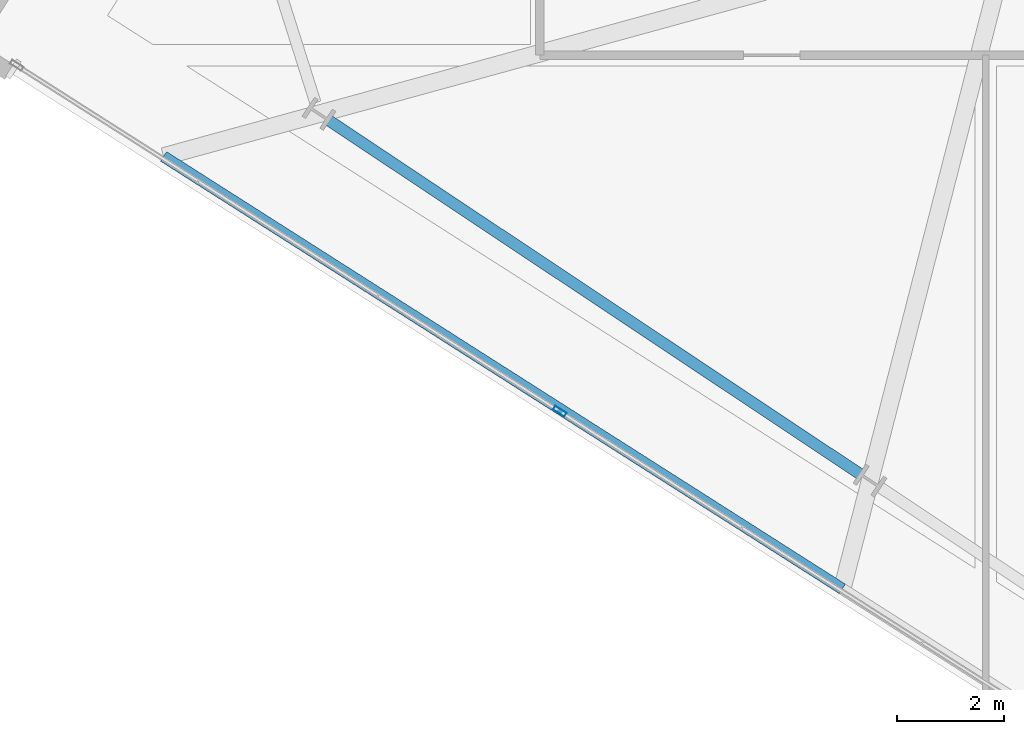
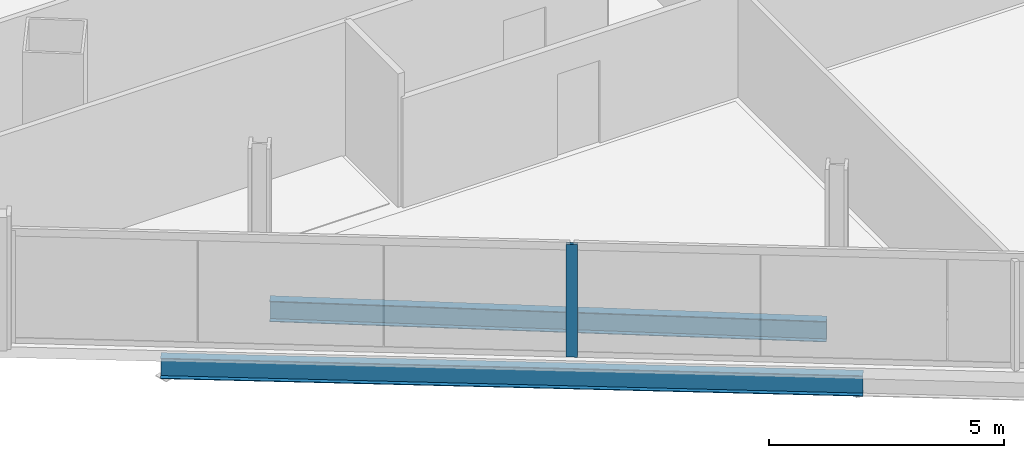
# One storey, part 2 of 30: 2 beams, 1 member, 1 element without a shape of its own.
"""IFC4 building model written with IfcOpenShell, lengths in metres."""

from ifc_helpers import new_model, si_unit, direction, frame, origin, origin_2d, place, context, subcontext, project, spatial, hollow_rectangle, i_section, extrude, material, material_profile, profile_set, type_object, element, aggregate, save


model = new_model("IFC4")

# Units and contexts
model_context = context("Model", 3, precision=1e-05, world=origin(), true_north=direction((0.0, 1.0)))
body_context = subcontext(model_context, "Body", "Model", "MODEL_VIEW")
ifc_project = project(units=[si_unit("LENGTHUNIT", "METRE"), si_unit("AREAUNIT", "SQUARE_METRE"), si_unit("VOLUMEUNIT", "CUBIC_METRE"), si_unit("PLANEANGLEUNIT", "RADIAN"), si_unit("MASSUNIT", "GRAM", prefix="KILO")], contexts=[model_context])

# Site, building, storey
site_placement = place(None, origin())
site = spatial("IfcSite", under=ifc_project, at=site_placement, CompositionType="ELEMENT")
building_placement = place(site_placement, origin())
building = spatial("IfcBuilding", under=site, at=building_placement, Name="Haldenkirk Collegiate Tower", CompositionType="ELEMENT")
storey_placement = place(building_placement, frame((0.0, 0.0, 220.949951171875)))
storey = spatial("IfcBuildingStorey", under=building, at=storey_placement, Name="L55", CompositionType="ELEMENT", Elevation=220.949951171875)

# Beams
ifc_material_1 = material(Name="Steel ASTM A992 Grade 50", Category="steel")
ifc_material_profile_1 = material_profile(ifc_material_1, i_section(OverallWidth=0.2099609375, OverallDepth=0.537109375, WebThickness=0.010986328125, FlangeThickness=0.017333984375, at=origin_2d()), Name="W21X68")
ifc_profile_set_1 = profile_set([ifc_material_profile_1], Name="Steel ASTM A992 Grade 50")
beam_type = type_object("IfcBeamType", Name="BM-SPANDREL-W21X68", PredefinedType="SPANDREL", material=ifc_profile_set_1)
beam_1_placement = place(storey_placement, frame((14.26904296875, 14.337158203125, -0.54833984375), z_axis=(0.832438805455, -0.554116986901, 0.0), x_axis=(0.554116986901, 0.832438805455, 0.0)))
element("IfcBeam", 1, at=beam_1_placement, inside=storey, type_object=beam_type, Name="L55 perimeter spandrel beam 14", PredefinedType="SPANDREL", context=body_context, shape_type="SweptSolid", body=[
    extrude(i_section(OverallWidth=0.2099609375, OverallDepth=0.537109375, WebThickness=0.010986328125, FlangeThickness=0.017333984375, at=origin_2d()), origin(), (0.0, 0.0, 1.0), 11.885009765625),
])
beam_2_placement = place(storey_placement, frame((11.197998046875, 13.664306640625, -0.54833984375), z_axis=(0.84338882002, -0.537303729994, 0.0), x_axis=(0.537303729994, 0.84338882002, 0.0)))
element("IfcBeam", 2, at=beam_2_placement, inside=storey, type_object=beam_type, Name="L55 outer facade edge beam 4A", PredefinedType="SPANDREL", context=body_context, shape_type="SweptSolid", body=[
    extrude(i_section(OverallWidth=0.2099609375, OverallDepth=0.537109375, WebThickness=0.010986328125, FlangeThickness=0.017333984375, at=origin_2d()), origin(), (0.0, 0.0, 1.0), 14.974609375),
])

# Curtain wall, member
ifc_material_2 = material(Name="Anodised architectural bronze aluminium", Category="aluminium")
curtain_wall_type = type_object("IfcCurtainWallType", Name="CW-SYS1B-CONVEX-HI", PredefinedType="USERDEFINED", material=ifc_material_2)
curtain_wall_placement = place(storey_placement, origin())
curtain_wall = element("IfcCurtainWall", 3, at=curtain_wall_placement, inside=storey, type_object=curtain_wall_type, Name="L55 Upper tower high-wind convex bronze unitised curtain wall", ObjectType="UNITISED CURTAIN WALL", PredefinedType="USERDEFINED")
ifc_material_profile_2 = material_profile(ifc_material_2, hollow_rectangle(XDim=0.0849609375, YDim=0.25, WallThickness=0.0048828125, at=origin_2d()), Name="CW-MUL-1B")
ifc_profile_set_2 = profile_set([ifc_material_profile_2], Name="Anodised architectural bronze aluminium")
member_type = type_object("IfcMemberType", Name="CW-MUL-1B", PredefinedType="MULLION", material=ifc_profile_set_2)
member_placement = place(storey_placement, frame((18.568603515625, 8.921142578125, 0.0), z_axis=(0.0, 0.0, 1.0), x_axis=(-0.537300519173, -0.843390865552, 0.0)))
member = element("IfcMember", 4, at=member_placement, type_object=member_type, Name="CW-1B mullion 3", PredefinedType="MULLION", context=body_context, shape_type="SweptSolid", body=[
    extrude(hollow_rectangle(XDim=0.0849609375, YDim=0.25, WallThickness=0.0048828125, at=origin_2d()), origin(), (0.0, 0.0, 1.0), 2.927978515625),
])
aggregate(curtain_wall, [member])

save(model, "model.ifc")
